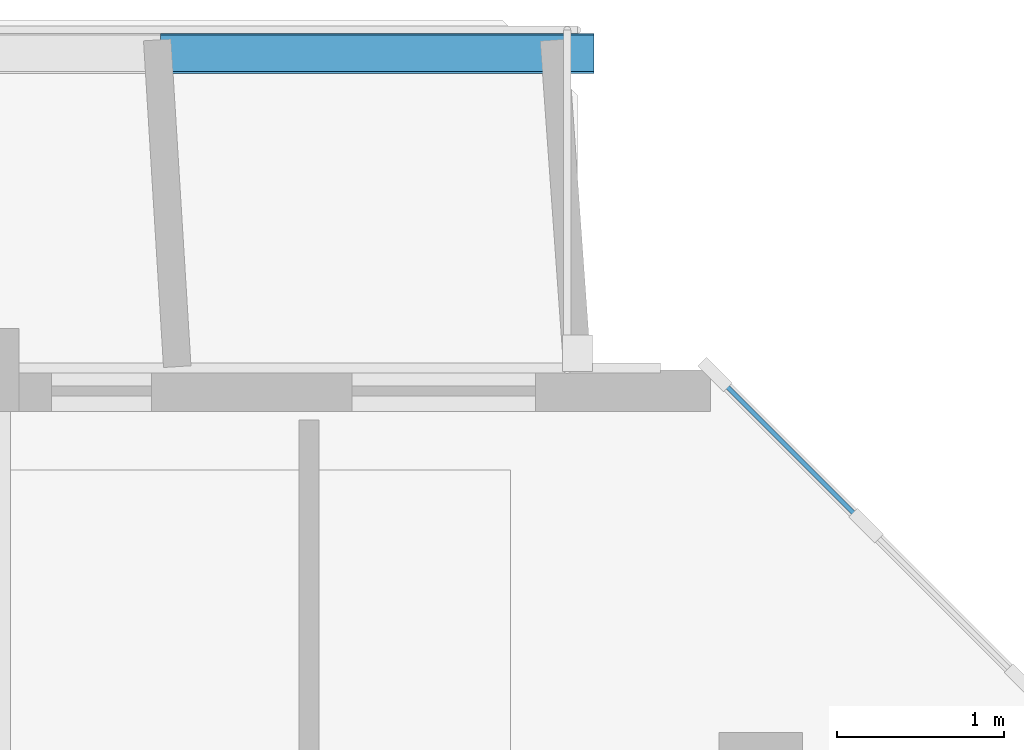
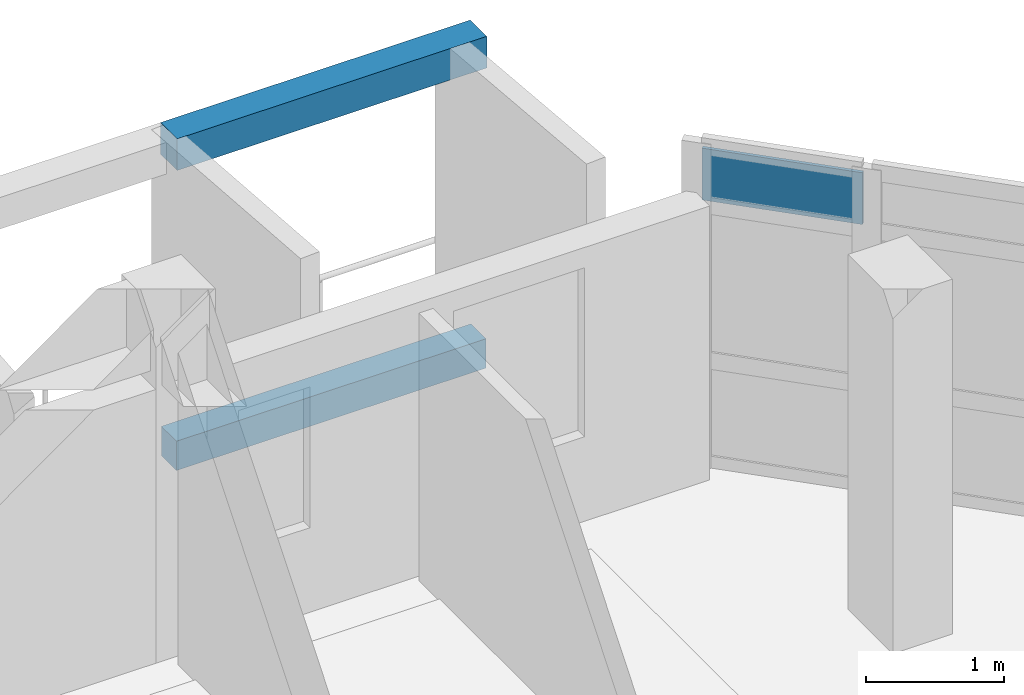
# One storey, part 15 of 45: 3 plates, 1 element without a shape of its own.
"""IFC4 building model written with IfcOpenShell, lengths in metres."""

from ifc_helpers import new_model, si_unit, direction, frame, origin, origin_2d, place, context, subcontext, project, spatial, rectangle, extrude, material, layer, layer_set, type_object, element, aggregate, save


model = new_model("IFC4")

# Units and contexts
model_context = context("Model", 3, precision=1e-05, world=origin(), true_north=direction((0.0, 1.0)))
body_context = subcontext(model_context, "Body", "Model", "MODEL_VIEW")
ifc_project = project(units=[si_unit("LENGTHUNIT", "METRE"), si_unit("AREAUNIT", "SQUARE_METRE"), si_unit("VOLUMEUNIT", "CUBIC_METRE"), si_unit("PLANEANGLEUNIT", "RADIAN"), si_unit("MASSUNIT", "GRAM", prefix="KILO")], contexts=[model_context])

# Site, building, storey
site_placement = place(None, origin())
site = spatial("IfcSite", under=ifc_project, at=site_placement, CompositionType="ELEMENT")
building_placement = place(site_placement, origin())
building = spatial("IfcBuilding", under=site, at=building_placement, Name="Ochrevale Crest", CompositionType="ELEMENT")
storey_placement = place(building_placement, frame((0.0, 0.0, 18.14990234375)))
storey = spatial("IfcBuildingStorey", under=building, at=storey_placement, Name="L05", CompositionType="ELEMENT", Elevation=18.14990234375)

# Curtain wall, plate
ifc_material_1 = material(Name="Anodised aluminium 6063-T5", Category="aluminium")
ifc_layer_1 = layer(ifc_material_1, 0.14990234375)
ifc_layer_set_1 = layer_set([ifc_layer_1], Name="Anodised aluminium 6063-T5")
curtain_wall_type = type_object("IfcCurtainWallType", Name="CW-WG-420x285", PredefinedType="NOTDEFINED", material=ifc_layer_set_1)
curtain_wall_placement = place(storey_placement, origin())
curtain_wall = element("IfcCurtainWall", 1, at=curtain_wall_placement, inside=storey, type_object=curtain_wall_type, Name="Block D L05 chamfered corner wintergarden curtain wall 4", PredefinedType="NOTDEFINED")
ifc_material_2 = material(Name="Double-glazed low-E insulated glass unit", Category="glass")
ifc_layer_2 = layer(ifc_material_2, 0.028076171875)
ifc_layer_set_2 = layer_set([ifc_layer_2], Name="Double-glazed low-E insulated glass unit")
plate_type_1 = type_object("IfcPlateType", Name="CW-PNL-IGU28", PredefinedType="CURTAIN_PANEL", material=ifc_layer_set_2)
plate_1_placement = place(storey_placement, frame((163.280029296875, 93.1201171875, 2.355224609375), z_axis=(0.0, 0.0, 1.0), x_axis=(-0.707106781187, 0.707106781187, 0.0)))
plate_1 = element("IfcPlate", 2, at=plate_1_placement, type_object=plate_type_1, Name="CW22 panel 3.3", PredefinedType="CURTAIN_PANEL", context=body_context, shape_type="SweptSolid", body=[
    extrude(rectangle(XDim=1.20751953125, YDim=0.028076171875, at=origin_2d()), origin(), (0.0, 0.0, 1.0), 0.4599609375),
])
aggregate(curtain_wall, [plate_1])

# Plates
ifc_material_3 = material(Name="Precast concrete C40/50", Category="concrete")
ifc_layer_3 = layer(ifc_material_3, 0.06005859375)
ifc_layer_set_3 = layer_set([ifc_layer_3], Name="Precast concrete C40/50")
plate_type_2 = type_object("IfcPlateType", Name="PLT-HC-HEAD-60", PredefinedType="USERDEFINED", material=ifc_layer_set_3)
plate_2_placement = place(storey_placement, frame((160.800048828125, 95.5, 2.669921875), z_axis=(0.0, 0.0, 1.0), x_axis=(1.0, 0.0, 0.0)))
element("IfcPlate", 3, at=plate_2_placement, inside=storey, type_object=plate_type_2, Name="Block D L05 N honeycomb arched lintel fascia 12", ObjectType="FACADE FASCIA PLATE", PredefinedType="USERDEFINED", context=body_context, shape_type="SweptSolid", body=[
    extrude(rectangle(XDim=2.60009765625, YDim=0.239990234375, at=origin_2d()), origin(), (0.0, 0.0, 1.0), 0.280029296875),
])
ifc_layer_4 = layer(ifc_material_3, 0.044921875)
ifc_layer_set_4 = layer_set([ifc_layer_4], Name="Precast concrete C40/50")
plate_type_3 = type_object("IfcPlateType", Name="PLT-HC-SILL-45", PredefinedType="USERDEFINED", material=ifc_layer_set_4)
plate_3_placement = place(storey_placement, frame((160.800048828125, 95.5, 0.0), z_axis=(0.0, 0.0, 1.0), x_axis=(1.0, 0.0, 0.0)))
element("IfcPlate", 4, at=plate_3_placement, inside=storey, type_object=plate_type_3, Name="Block D L05 N honeycomb sill coping plate 12", ObjectType="SILL COPING PLATE", PredefinedType="USERDEFINED", context=body_context, shape_type="SweptSolid", body=[
    extrude(rectangle(XDim=2.60009765625, YDim=0.219970703125, at=origin_2d()), origin(), (0.0, 0.0, 1.0), 0.260009765625),
])

save(model, "model.ifc")
